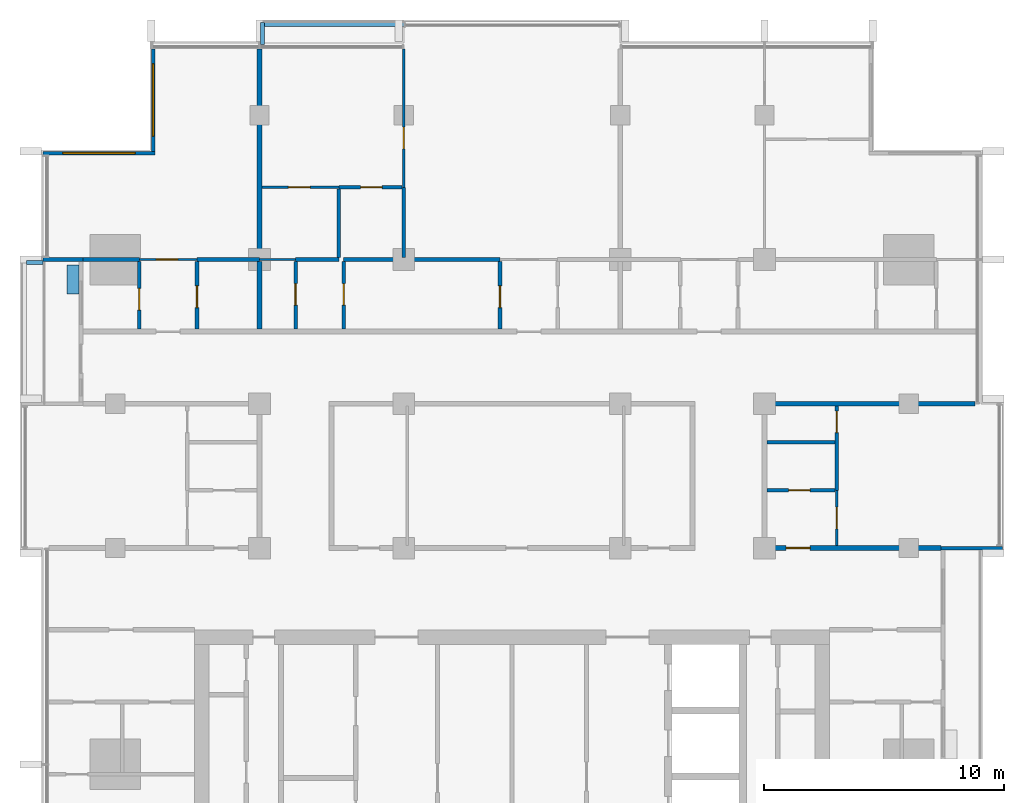
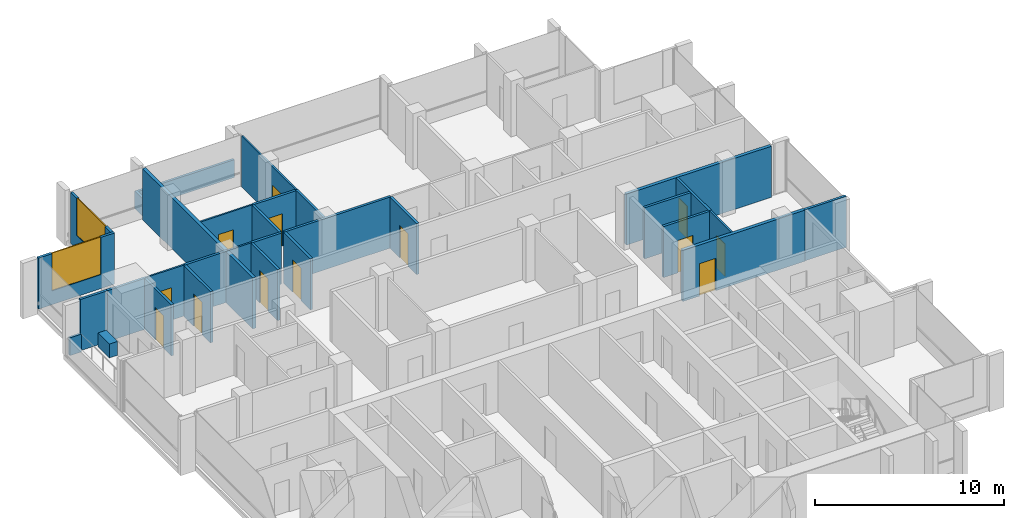
# One storey, part 10 of 16: 32 walls, 13 doors, 2 windows, 15 openings.
"""IFC4 building model written with IfcOpenShell, lengths in metres."""

from ifc_helpers import new_model, si_unit, direction, frame, frame_2d, origin, place, context, subcontext, project, spatial, rectangle, extrude, material, layer, layer_set, type_object, element, fill, save


model = new_model("IFC4")

# Units and contexts
model_context = context("Model", 3, precision=1e-05, world=origin(), true_north=direction((0.0, 1.0)))
body_context = subcontext(model_context, "Body", "Model", "MODEL_VIEW")
ifc_project = project(units=[si_unit("LENGTHUNIT", "METRE"), si_unit("AREAUNIT", "SQUARE_METRE"), si_unit("VOLUMEUNIT", "CUBIC_METRE"), si_unit("PLANEANGLEUNIT", "RADIAN"), si_unit("MASSUNIT", "GRAM", prefix="KILO")], contexts=[model_context])

# Site, building, storey
site_placement = place(None, origin())
site = spatial("IfcSite", under=ifc_project, at=site_placement, CompositionType="ELEMENT")
building_placement = place(site_placement, origin())
building = spatial("IfcBuilding", under=site, at=building_placement, Name="Finial Court Residences", CompositionType="ELEMENT")
storey_placement = place(building_placement, frame((0.0, 0.0, 223.10009765625)))
storey = spatial("IfcBuildingStorey", under=building, at=storey_placement, Name="L56", CompositionType="ELEMENT", Elevation=223.10009765625)

# Walls
ifc_material_1 = material(Name="Gypsum board")
ifc_layer_1 = layer(ifc_material_1, 0.02490234375)
ifc_material_2 = material(Name="Acoustic mineral wool in double frame")
ifc_layer_2 = layer(ifc_material_2, 0.14990234375)
ifc_layer_3 = layer(ifc_material_1, 0.02490234375)
ifc_layer_set_1 = layer_set([ifc_layer_1, ifc_layer_2, ifc_layer_3], Name="Acoustic party wall 200, 1 hour")
wall_type_1 = type_object("IfcWallType", Name="Acoustic party wall 200, 1 hour", PredefinedType="PARTITIONING", material=ifc_layer_set_1)
wall_1_placement = place(storey_placement, frame((-10.5, 4.60009765625, 0.0), z_axis=(0.0, 0.0, 1.0), x_axis=(0.0, 1.0, 0.0)))
element("IfcWall", 1, at=wall_1_placement, inside=storey, type_object=wall_type_1, Name="Partition L56-037", PredefinedType="PARTITIONING", context=body_context, shape_type="SweptSolid", body=[
    extrude(rectangle(XDim=2.824951171875, YDim=0.199951171875, at=frame_2d((1.41259765625, 0.0))), origin(), (0.0, 0.0, 1.0), 3.2998046875),
])
wall_2_placement = place(storey_placement, frame((-10.5, 7.574951171875, 0.0), z_axis=(0.0, 0.0, 1.0), x_axis=(0.0, 1.0, 0.0)))
element("IfcWall", 2, at=wall_2_placement, inside=storey, type_object=wall_type_1, Name="Partition L56-038", PredefinedType="PARTITIONING", context=body_context, shape_type="SweptSolid", body=[
    extrude(rectangle(XDim=8.6875, YDim=0.199951171875, at=frame_2d((4.34375, 0.0))), origin(), (0.0, 0.0, 1.0), 3.2998046875),
])

# Wall, opening, door
ifc_layer_4 = layer(ifc_material_1, 0.02490234375)
ifc_layer_5 = layer(ifc_material_2, 0.14990234375)
ifc_layer_6 = layer(ifc_material_1, 0.02490234375)
ifc_layer_set_2 = layer_set([ifc_layer_4, ifc_layer_5, ifc_layer_6], Name="Corridor wall 200, 1 hour")
wall_type_2 = type_object("IfcWallType", Name="Corridor wall 200, 1 hour", PredefinedType="PARTITIONING", material=ifc_layer_set_2)
wall_3_placement = place(storey_placement, frame((10.39990234375, -4.5, 0.0), z_axis=(0.0, 0.0, 1.0), x_axis=(1.0, 0.0, 0.0)))
wall_3 = element("IfcWall", 3, at=wall_3_placement, inside=storey, type_object=wall_type_2, Name="Partition L56-008", PredefinedType="PARTITIONING", context=body_context, shape_type="SweptSolid", body=[
    extrude(rectangle(XDim=7.4501953125, YDim=0.199951171875, at=frame_2d((3.72509765625, 0.0))), origin(), (0.0, 0.0, 1.0), 3.2998046875),
])
opening_1_placement = place(wall_3_placement, frame((1.0, 0.0, 0.0)))
opening_1 = element("IfcOpeningElement", 4, at=opening_1_placement, cuts=wall_3, Name="Opening L56-D013", PredefinedType="OPENING", context=body_context, shape_type="SweptSolid", body=[
    extrude(rectangle(XDim=1.0, YDim=2.10009765625, at=frame_2d((0.5, 1.050048828125))), frame((0.0, 0.10986328125, 0.0), z_axis=(0.0, -1.0, 0.0), x_axis=(1.0, 0.0, 0.0)), (0.0, 0.0, 1.0), 0.219970703125),
])
ifc_material_3 = material(Name="Timber door leaf in hollow metal frame", Category="wood")
door_type_1 = type_object("IfcDoorType", Name="Fire door set 1000 x 2100, 30 minutes", OperationType="SINGLE_SWING_LEFT", PredefinedType="DOOR", material=ifc_material_3)
door_1_placement = place(opening_1_placement, origin())
door_1 = element("IfcDoor", 5, at=door_1_placement, inside=storey, type_object=door_type_1, Name="Door L56-D013", OperationType="SINGLE_SWING_RIGHT", OverallHeight=2.10009765625, OverallWidth=1.0, PredefinedType="DOOR", context=body_context, shape_type="SweptSolid", body=[
    extrude(rectangle(XDim=1.0, YDim=2.10009765625, at=frame_2d((0.5, 1.050048828125))), frame((0.0, 0.02490234375, 0.0), z_axis=(0.0, -1.0, 0.0), x_axis=(1.0, 0.0, 0.0)), (0.0, 0.0, 1.0), 0.050048828125),
])
fill(opening_1, door_1)

# Wall
wall_4_placement = place(storey_placement, frame((10.39990234375, 1.5, 0.0), z_axis=(0.0, 0.0, 1.0), x_axis=(1.0, 0.0, 0.0)))
element("IfcWall", 6, at=wall_4_placement, inside=storey, type_object=wall_type_2, Name="Partition L56-015", PredefinedType="PARTITIONING", context=body_context, shape_type="SweptSolid", body=[
    extrude(rectangle(XDim=8.862548828125, YDim=0.199951171875, at=frame_2d((4.43115234375, 0.0))), origin(), (0.0, 0.0, 1.0), 3.2998046875),
])

# Wall, opening, door
ifc_layer_7 = layer(ifc_material_1, 0.012451171875)
ifc_material_4 = material(Name="Mineral wool in light-gauge frame")
ifc_layer_8 = layer(ifc_material_4, 0.074951171875)
ifc_layer_9 = layer(ifc_material_1, 0.012451171875)
ifc_layer_set_3 = layer_set([ifc_layer_7, ifc_layer_8, ifc_layer_9], Name="Gypsum board partition 100")
wall_type_3 = type_object("IfcWallType", Name="Gypsum board partition 100", PredefinedType="PARTITIONING", material=ifc_layer_set_3)
wall_5_placement = place(storey_placement, frame((-15.5, 7.5, 0.0), z_axis=(0.0, 0.0, 1.0), x_axis=(1.0, 0.0, 0.0)))
wall_5 = element("IfcWall", 7, at=wall_5_placement, inside=storey, type_object=wall_type_3, Name="Partition L56-017", PredefinedType="PARTITIONING", context=body_context, shape_type="SweptSolid", body=[
    extrude(rectangle(XDim=2.39990234375, YDim=0.10009765625, at=frame_2d((1.199951171875, 0.0))), origin(), (0.0, 0.0, 1.0), 3.2998046875),
])
opening_2_placement = place(wall_5_placement, frame((0.699951171875, 0.0, 0.0)))
opening_2 = element("IfcOpeningElement", 8, at=opening_2_placement, cuts=wall_5, Name="Opening L56-D019", PredefinedType="OPENING", context=body_context, shape_type="SweptSolid", body=[
    extrude(rectangle(XDim=0.89990234375, YDim=2.10009765625, at=frame_2d((0.449951171875, 1.050048828125))), frame((0.0, 0.06005859375, 0.0), z_axis=(0.0, -1.0, 0.0), x_axis=(1.0, 0.0, 0.0)), (0.0, 0.0, 1.0), 0.1201171875),
])
ifc_material_5 = material(Name="Timber door leaf in timber frame", Category="wood")
door_type_2 = type_object("IfcDoorType", Name="Door set 900 x 2100", OperationType="SINGLE_SWING_LEFT", PredefinedType="DOOR", material=ifc_material_5)
door_2_placement = place(opening_2_placement, origin())
door_2 = element("IfcDoor", 9, at=door_2_placement, inside=storey, type_object=door_type_2, Name="Door L56-D019", OperationType="SINGLE_SWING_RIGHT", OverallHeight=2.10009765625, OverallWidth=0.89990234375, PredefinedType="DOOR", context=body_context, shape_type="SweptSolid", body=[
    extrude(rectangle(XDim=0.89990234375, YDim=2.10009765625, at=frame_2d((0.449951171875, 1.050048828125))), frame((0.0, 0.02490234375, 0.0), z_axis=(0.0, -1.0, 0.0), x_axis=(1.0, 0.0, 0.0)), (0.0, 0.0, 1.0), 0.050048828125),
])
fill(opening_2, door_2)

# Wall
wall_6_placement = place(storey_placement, frame((-10.5, 7.5, 0.0), z_axis=(0.0, 0.0, 1.0), x_axis=(1.0, 0.0, 0.0)))
element("IfcWall", 10, at=wall_6_placement, inside=storey, type_object=wall_type_3, Name="Partition L56-018", PredefinedType="PARTITIONING", context=body_context, shape_type="SweptSolid", body=[
    extrude(rectangle(XDim=1.5, YDim=0.10009765625, at=frame_2d((0.75, 0.0))), origin(), (0.0, 0.0, 1.0), 3.2998046875),
])

# Wall, opening, door
wall_7_placement = place(storey_placement, frame((-10.39990234375, 10.5, 0.0), z_axis=(0.0, 0.0, 1.0), x_axis=(1.0, 0.0, 0.0)))
wall_7 = element("IfcWall", 11, at=wall_7_placement, inside=storey, type_object=wall_type_3, Name="Partition L56-028", PredefinedType="PARTITIONING", context=body_context, shape_type="SweptSolid", body=[
    extrude(rectangle(XDim=3.199951171875, YDim=0.10009765625, at=frame_2d((1.60009765625, 0.0))), origin(), (0.0, 0.0, 1.0), 3.2998046875),
])
opening_3_placement = place(wall_7_placement, frame((1.10009765625, 0.0, 0.0)))
opening_3 = element("IfcOpeningElement", 12, at=opening_3_placement, cuts=wall_7, Name="Opening L56-D022", PredefinedType="OPENING", context=body_context, shape_type="SweptSolid", body=[
    extrude(rectangle(XDim=0.89990234375, YDim=2.10009765625, at=frame_2d((0.449951171875, 1.050048828125))), frame((0.0, 0.06005859375, 0.0), z_axis=(0.0, -1.0, 0.0), x_axis=(1.0, 0.0, 0.0)), (0.0, 0.0, 1.0), 0.1201171875),
])
door_3_placement = place(opening_3_placement, origin())
door_3 = element("IfcDoor", 13, at=door_3_placement, inside=storey, type_object=door_type_2, Name="Door L56-D022", OperationType="SINGLE_SWING_LEFT", OverallHeight=2.10009765625, OverallWidth=0.89990234375, PredefinedType="DOOR", context=body_context, shape_type="SweptSolid", body=[
    extrude(rectangle(XDim=0.89990234375, YDim=2.10009765625, at=frame_2d((0.449951171875, 1.050048828125))), frame((0.0, 0.02490234375, 0.0), z_axis=(0.0, -1.0, 0.0), x_axis=(1.0, 0.0, 0.0)), (0.0, 0.0, 1.0), 0.050048828125),
])
fill(opening_3, door_3)

wall_8_placement = place(storey_placement, frame((-4.5, 10.5, 0.0), z_axis=(0.0, 0.0, 1.0), x_axis=(0.0, 1.0, 0.0)))
wall_8 = element("IfcWall", 14, at=wall_8_placement, inside=storey, type_object=wall_type_3, Name="Partition L56-043", PredefinedType="PARTITIONING", context=body_context, shape_type="SweptSolid", body=[
    extrude(rectangle(XDim=5.762451171875, YDim=0.10009765625, at=frame_2d((2.88134765625, 0.0))), origin(), (0.0, 0.0, 1.0), 3.2998046875),
])
opening_4_placement = place(wall_8_placement, frame((1.60009765625, 0.0, 0.0)))
opening_4 = element("IfcOpeningElement", 15, at=opening_4_placement, cuts=wall_8, Name="Opening L56-D031", PredefinedType="OPENING", context=body_context, shape_type="SweptSolid", body=[
    extrude(rectangle(XDim=0.89990234375, YDim=2.10009765625, at=frame_2d((0.449951171875, 1.050048828125))), frame((0.0, 0.06005859375, 0.0), z_axis=(0.0, -1.0, 0.0), x_axis=(1.0, 0.0, 0.0)), (0.0, 0.0, 1.0), 0.1201171875),
])
door_4_placement = place(opening_4_placement, origin())
door_4 = element("IfcDoor", 16, at=door_4_placement, inside=storey, type_object=door_type_2, Name="Door L56-D031", OperationType="SINGLE_SWING_RIGHT", OverallHeight=2.10009765625, OverallWidth=0.89990234375, PredefinedType="DOOR", context=body_context, shape_type="SweptSolid", body=[
    extrude(rectangle(XDim=0.89990234375, YDim=2.10009765625, at=frame_2d((0.449951171875, 1.050048828125))), frame((0.0, 0.02490234375, 0.0), z_axis=(0.0, -1.0, 0.0), x_axis=(1.0, 0.0, 0.0)), (0.0, 0.0, 1.0), 0.050048828125),
])
fill(opening_4, door_4)

wall_9_placement = place(storey_placement, frame((13.5, -4.39990234375, 0.0), z_axis=(0.0, 0.0, 1.0), x_axis=(0.0, 1.0, 0.0)))
wall_9 = element("IfcWall", 17, at=wall_9_placement, inside=storey, type_object=wall_type_3, Name="Partition L56-056", PredefinedType="PARTITIONING", context=body_context, shape_type="SweptSolid", body=[
    extrude(rectangle(XDim=2.2998046875, YDim=0.10009765625, at=frame_2d((1.14990234375, 0.0))), origin(), (0.0, 0.0, 1.0), 3.2998046875),
])
opening_5_placement = place(wall_9_placement, frame((0.699951171875, 0.0, 0.0)))
opening_5 = element("IfcOpeningElement", 18, at=opening_5_placement, cuts=wall_9, Name="Opening L56-D037", PredefinedType="OPENING", context=body_context, shape_type="SweptSolid", body=[
    extrude(rectangle(XDim=0.89990234375, YDim=2.10009765625, at=frame_2d((0.449951171875, 1.050048828125))), frame((0.0, 0.06005859375, 0.0), z_axis=(0.0, -1.0, 0.0), x_axis=(1.0, 0.0, 0.0)), (0.0, 0.0, 1.0), 0.1201171875),
])
door_5_placement = place(opening_5_placement, origin())
door_5 = element("IfcDoor", 19, at=door_5_placement, inside=storey, type_object=door_type_2, Name="Door L56-D037", OperationType="SINGLE_SWING_LEFT", OverallHeight=2.10009765625, OverallWidth=0.89990234375, PredefinedType="DOOR", context=body_context, shape_type="SweptSolid", body=[
    extrude(rectangle(XDim=0.89990234375, YDim=2.10009765625, at=frame_2d((0.449951171875, 1.050048828125))), frame((0.0, 0.02490234375, 0.0), z_axis=(0.0, -1.0, 0.0), x_axis=(1.0, 0.0, 0.0)), (0.0, 0.0, 1.0), 0.050048828125),
])
fill(opening_5, door_5)

ifc_material_6 = material(Name="Moisture-resistant gypsum board")
ifc_layer_10 = layer(ifc_material_6, 0.012451171875)
ifc_layer_11 = layer(ifc_material_4, 0.125)
ifc_layer_12 = layer(ifc_material_6, 0.012451171875)
ifc_layer_set_4 = layer_set([ifc_layer_10, ifc_layer_11, ifc_layer_12], Name="Gypsum board wet-area partition 150")
wall_type_4 = type_object("IfcWallType", Name="Gypsum board wet-area partition 150", PredefinedType="PARTITIONING", material=ifc_layer_set_4)
wall_10_placement = place(storey_placement, frame((10.60009765625, -2.10009765625, 0.0), z_axis=(0.0, 0.0, 1.0), x_axis=(1.0, 0.0, 0.0)))
wall_10 = element("IfcWall", 20, at=wall_10_placement, inside=storey, type_object=wall_type_4, Name="Partition L56-010", PredefinedType="PARTITIONING", context=body_context, shape_type="SweptSolid", body=[
    extrude(rectangle(XDim=2.824951171875, YDim=0.14990234375, at=frame_2d((1.41259765625, 0.0))), origin(), (0.0, 0.0, 1.0), 3.2998046875),
])
opening_6_placement = place(wall_10_placement, frame((0.89990234375, 0.0, 0.0)))
opening_6 = element("IfcOpeningElement", 21, at=opening_6_placement, cuts=wall_10, Name="Opening L56-D015", PredefinedType="OPENING", context=body_context, shape_type="SweptSolid", body=[
    extrude(rectangle(XDim=0.89990234375, YDim=2.10009765625, at=frame_2d((0.449951171875, 1.050048828125))), frame((0.0, 0.0849609375, 0.0), z_axis=(0.0, -1.0, 0.0), x_axis=(1.0, 0.0, 0.0)), (0.0, 0.0, 1.0), 0.169921875),
])
door_6_placement = place(opening_6_placement, origin())
door_6 = element("IfcDoor", 22, at=door_6_placement, inside=storey, type_object=door_type_2, Name="Door L56-D015", OperationType="SINGLE_SWING_RIGHT", OverallHeight=2.10009765625, OverallWidth=0.89990234375, PredefinedType="DOOR", context=body_context, shape_type="SweptSolid", body=[
    extrude(rectangle(XDim=0.89990234375, YDim=2.10009765625, at=frame_2d((0.449951171875, 1.050048828125))), frame((0.0, 0.02490234375, 0.0), z_axis=(0.0, -1.0, 0.0), x_axis=(1.0, 0.0, 0.0)), (0.0, 0.0, 1.0), 0.050048828125),
])
fill(opening_6, door_6)

# Walls
wall_11_placement = place(storey_placement, frame((10.60009765625, -0.10009765625, 0.0), z_axis=(0.0, 0.0, 1.0), x_axis=(1.0, 0.0, 0.0)))
element("IfcWall", 23, at=wall_11_placement, inside=storey, type_object=wall_type_4, Name="Partition L56-012", PredefinedType="PARTITIONING", context=body_context, shape_type="SweptSolid", body=[
    extrude(rectangle(XDim=2.824951171875, YDim=0.14990234375, at=frame_2d((1.41259765625, 0.0))), origin(), (0.0, 0.0, 1.0), 3.2998046875),
])
wall_12_placement = place(storey_placement, frame((-17.85009765625, 7.5, 0.0), z_axis=(0.0, 0.0, 1.0), x_axis=(1.0, 0.0, 0.0)))
element("IfcWall", 24, at=wall_12_placement, inside=storey, type_object=wall_type_4, Name="Partition L56-022", PredefinedType="PARTITIONING", context=body_context, shape_type="SweptSolid", body=[
    extrude(rectangle(XDim=2.35009765625, YDim=0.14990234375, at=frame_2d((1.175048828125, 0.0))), origin(), (0.0, 0.0, 1.0), 3.2998046875),
])
wall_13_placement = place(storey_placement, frame((-13.10009765625, 7.5, 0.0), z_axis=(0.0, 0.0, 1.0), x_axis=(1.0, 0.0, 0.0)))
element("IfcWall", 25, at=wall_13_placement, inside=storey, type_object=wall_type_4, Name="Partition L56-023", PredefinedType="PARTITIONING", context=body_context, shape_type="SweptSolid", body=[
    extrude(rectangle(XDim=2.60009765625, YDim=0.14990234375, at=frame_2d((1.300048828125, 0.0))), origin(), (0.0, 0.0, 1.0), 3.2998046875),
])
wall_14_placement = place(storey_placement, frame((-9.0, 7.5, 0.0), z_axis=(0.0, 0.0, 1.0), x_axis=(1.0, 0.0, 0.0)))
element("IfcWall", 26, at=wall_14_placement, inside=storey, type_object=wall_type_4, Name="Partition L56-024", PredefinedType="PARTITIONING", context=body_context, shape_type="SweptSolid", body=[
    extrude(rectangle(XDim=1.800048828125, YDim=0.14990234375, at=frame_2d((0.89990234375, 0.0))), origin(), (0.0, 0.0, 1.0), 3.2998046875),
])
wall_15_placement = place(storey_placement, frame((-7.0, 7.5, 0.0), z_axis=(0.0, 0.0, 1.0), x_axis=(1.0, 0.0, 0.0)))
element("IfcWall", 27, at=wall_15_placement, inside=storey, type_object=wall_type_4, Name="Partition L56-025", PredefinedType="PARTITIONING", context=body_context, shape_type="SweptSolid", body=[
    extrude(rectangle(XDim=6.5, YDim=0.14990234375, at=frame_2d((3.25, 0.0))), origin(), (0.0, 0.0, 1.0), 3.2998046875),
])

# Wall, opening, door
wall_16_placement = place(storey_placement, frame((-7.199951171875, 10.5, 0.0), z_axis=(0.0, 0.0, 1.0), x_axis=(1.0, 0.0, 0.0)))
wall_16 = element("IfcWall", 28, at=wall_16_placement, inside=storey, type_object=wall_type_4, Name="Partition L56-029", PredefinedType="PARTITIONING", context=body_context, shape_type="SweptSolid", body=[
    extrude(rectangle(XDim=2.625, YDim=0.14990234375, at=frame_2d((1.3125, 0.0))), origin(), (0.0, 0.0, 1.0), 3.2998046875),
])
opening_7_placement = place(wall_16_placement, frame((0.89990234375, 0.0, 0.0)))
opening_7 = element("IfcOpeningElement", 29, at=opening_7_placement, cuts=wall_16, Name="Opening L56-D023", PredefinedType="OPENING", context=body_context, shape_type="SweptSolid", body=[
    extrude(rectangle(XDim=0.89990234375, YDim=2.10009765625, at=frame_2d((0.449951171875, 1.050048828125))), frame((0.0, 0.0849609375, 0.0), z_axis=(0.0, -1.0, 0.0), x_axis=(1.0, 0.0, 0.0)), (0.0, 0.0, 1.0), 0.169921875),
])
door_7_placement = place(opening_7_placement, origin())
door_7 = element("IfcDoor", 30, at=door_7_placement, inside=storey, type_object=door_type_2, Name="Door L56-D023", OperationType="SINGLE_SWING_RIGHT", OverallHeight=2.10009765625, OverallWidth=0.89990234375, PredefinedType="DOOR", context=body_context, shape_type="SweptSolid", body=[
    extrude(rectangle(XDim=0.89990234375, YDim=2.10009765625, at=frame_2d((0.449951171875, 1.050048828125))), frame((0.0, 0.02490234375, 0.0), z_axis=(0.0, -1.0, 0.0), x_axis=(1.0, 0.0, 0.0)), (0.0, 0.0, 1.0), 0.050048828125),
])
fill(opening_7, door_7)

wall_17_placement = place(storey_placement, frame((-15.5, 4.60009765625, 0.0), z_axis=(0.0, 0.0, 1.0), x_axis=(0.0, 1.0, 0.0)))
wall_17 = element("IfcWall", 31, at=wall_17_placement, inside=storey, type_object=wall_type_4, Name="Partition L56-032", PredefinedType="PARTITIONING", context=body_context, shape_type="SweptSolid", body=[
    extrude(rectangle(XDim=2.824951171875, YDim=0.14990234375, at=frame_2d((1.41259765625, 0.0))), origin(), (0.0, 0.0, 1.0), 3.2998046875),
])
opening_8_placement = place(wall_17_placement, frame((0.800048828125, 0.0, 0.0)))
opening_8 = element("IfcOpeningElement", 32, at=opening_8_placement, cuts=wall_17, Name="Opening L56-D025", PredefinedType="OPENING", context=body_context, shape_type="SweptSolid", body=[
    extrude(rectangle(XDim=0.89990234375, YDim=2.10009765625, at=frame_2d((0.449951171875, 1.050048828125))), frame((0.0, 0.0849609375, 0.0), z_axis=(0.0, -1.0, 0.0), x_axis=(1.0, 0.0, 0.0)), (0.0, 0.0, 1.0), 0.169921875),
])
door_8_placement = place(opening_8_placement, origin())
door_8 = element("IfcDoor", 33, at=door_8_placement, inside=storey, type_object=door_type_2, Name="Door L56-D025", OperationType="SINGLE_SWING_RIGHT", OverallHeight=2.10009765625, OverallWidth=0.89990234375, PredefinedType="DOOR", context=body_context, shape_type="SweptSolid", body=[
    extrude(rectangle(XDim=0.89990234375, YDim=2.10009765625, at=frame_2d((0.449951171875, 1.050048828125))), frame((0.0, 0.02490234375, 0.0), z_axis=(0.0, -1.0, 0.0), x_axis=(1.0, 0.0, 0.0)), (0.0, 0.0, 1.0), 0.050048828125),
])
fill(opening_8, door_8)

wall_18_placement = place(storey_placement, frame((-13.10009765625, 4.60009765625, 0.0), z_axis=(0.0, 0.0, 1.0), x_axis=(0.0, 1.0, 0.0)))
wall_18 = element("IfcWall", 34, at=wall_18_placement, inside=storey, type_object=wall_type_4, Name="Partition L56-035", PredefinedType="PARTITIONING", context=body_context, shape_type="SweptSolid", body=[
    extrude(rectangle(XDim=2.824951171875, YDim=0.14990234375, at=frame_2d((1.41259765625, 0.0))), origin(), (0.0, 0.0, 1.0), 3.2998046875),
])
opening_9_placement = place(wall_18_placement, frame((0.89990234375, 0.0, 0.0)))
opening_9 = element("IfcOpeningElement", 35, at=opening_9_placement, cuts=wall_18, Name="Opening L56-D028", PredefinedType="OPENING", context=body_context, shape_type="SweptSolid", body=[
    extrude(rectangle(XDim=0.89990234375, YDim=2.10009765625, at=frame_2d((0.449951171875, 1.050048828125))), frame((0.0, 0.0849609375, 0.0), z_axis=(0.0, -1.0, 0.0), x_axis=(1.0, 0.0, 0.0)), (0.0, 0.0, 1.0), 0.169921875),
])
door_9_placement = place(opening_9_placement, origin())
door_9 = element("IfcDoor", 36, at=door_9_placement, inside=storey, type_object=door_type_2, Name="Door L56-D028", OperationType="SINGLE_SWING_LEFT", OverallHeight=2.10009765625, OverallWidth=0.89990234375, PredefinedType="DOOR", context=body_context, shape_type="SweptSolid", body=[
    extrude(rectangle(XDim=0.89990234375, YDim=2.10009765625, at=frame_2d((0.449951171875, 1.050048828125))), frame((0.0, 0.02490234375, 0.0), z_axis=(0.0, -1.0, 0.0), x_axis=(1.0, 0.0, 0.0)), (0.0, 0.0, 1.0), 0.050048828125),
])
fill(opening_9, door_9)

wall_19_placement = place(storey_placement, frame((-9.0, 4.60009765625, 0.0), z_axis=(0.0, 0.0, 1.0), x_axis=(0.0, 1.0, 0.0)))
wall_19 = element("IfcWall", 37, at=wall_19_placement, inside=storey, type_object=wall_type_4, Name="Partition L56-039", PredefinedType="PARTITIONING", context=body_context, shape_type="SweptSolid", body=[
    extrude(rectangle(XDim=2.824951171875, YDim=0.14990234375, at=frame_2d((1.41259765625, 0.0))), origin(), (0.0, 0.0, 1.0), 3.2998046875),
])
opening_10_placement = place(wall_19_placement, frame((1.0, 0.0, 0.0)))
opening_10 = element("IfcOpeningElement", 38, at=opening_10_placement, cuts=wall_19, Name="Opening L56-D029", PredefinedType="OPENING", context=body_context, shape_type="SweptSolid", body=[
    extrude(rectangle(XDim=0.89990234375, YDim=2.10009765625, at=frame_2d((0.449951171875, 1.050048828125))), frame((0.0, 0.0849609375, 0.0), z_axis=(0.0, -1.0, 0.0), x_axis=(1.0, 0.0, 0.0)), (0.0, 0.0, 1.0), 0.169921875),
])
door_10_placement = place(opening_10_placement, origin())
door_10 = element("IfcDoor", 39, at=door_10_placement, inside=storey, type_object=door_type_2, Name="Door L56-D029", OperationType="SINGLE_SWING_RIGHT", OverallHeight=2.10009765625, OverallWidth=0.89990234375, PredefinedType="DOOR", context=body_context, shape_type="SweptSolid", body=[
    extrude(rectangle(XDim=0.89990234375, YDim=2.10009765625, at=frame_2d((0.449951171875, 1.050048828125))), frame((0.0, 0.02490234375, 0.0), z_axis=(0.0, -1.0, 0.0), x_axis=(1.0, 0.0, 0.0)), (0.0, 0.0, 1.0), 0.050048828125),
])
fill(opening_10, door_10)

# Wall
wall_20_placement = place(storey_placement, frame((-7.199951171875, 7.574951171875, 0.0), z_axis=(0.0, 0.0, 1.0), x_axis=(0.0, 1.0, 0.0)))
element("IfcWall", 40, at=wall_20_placement, inside=storey, type_object=wall_type_4, Name="Partition L56-041", PredefinedType="PARTITIONING", context=body_context, shape_type="SweptSolid", body=[
    extrude(rectangle(XDim=2.85009765625, YDim=0.14990234375, at=frame_2d((1.425048828125, 0.0))), origin(), (0.0, 0.0, 1.0), 3.2998046875),
])

# Wall, opening, door
wall_21_placement = place(storey_placement, frame((-7.0, 4.60009765625, 0.0), z_axis=(0.0, 0.0, 1.0), x_axis=(0.0, 1.0, 0.0)))
wall_21 = element("IfcWall", 41, at=wall_21_placement, inside=storey, type_object=wall_type_4, Name="Partition L56-042", PredefinedType="PARTITIONING", context=body_context, shape_type="SweptSolid", body=[
    extrude(rectangle(XDim=2.824951171875, YDim=0.14990234375, at=frame_2d((1.41259765625, 0.0))), origin(), (0.0, 0.0, 1.0), 3.2998046875),
])
opening_11_placement = place(wall_21_placement, frame((1.0, 0.0, 0.0)))
opening_11 = element("IfcOpeningElement", 42, at=opening_11_placement, cuts=wall_21, Name="Opening L56-D030", PredefinedType="OPENING", context=body_context, shape_type="SweptSolid", body=[
    extrude(rectangle(XDim=0.89990234375, YDim=2.10009765625, at=frame_2d((0.449951171875, 1.050048828125))), frame((0.0, 0.0849609375, 0.0), z_axis=(0.0, -1.0, 0.0), x_axis=(1.0, 0.0, 0.0)), (0.0, 0.0, 1.0), 0.169921875),
])
door_11_placement = place(opening_11_placement, origin())
door_11 = element("IfcDoor", 43, at=door_11_placement, inside=storey, type_object=door_type_2, Name="Door L56-D030", OperationType="SINGLE_SWING_RIGHT", OverallHeight=2.10009765625, OverallWidth=0.89990234375, PredefinedType="DOOR", context=body_context, shape_type="SweptSolid", body=[
    extrude(rectangle(XDim=0.89990234375, YDim=2.10009765625, at=frame_2d((0.449951171875, 1.050048828125))), frame((0.0, 0.02490234375, 0.0), z_axis=(0.0, -1.0, 0.0), x_axis=(1.0, 0.0, 0.0)), (0.0, 0.0, 1.0), 0.050048828125),
])
fill(opening_11, door_11)

# Wall
wall_22_placement = place(storey_placement, frame((-4.5, 7.574951171875, 0.0), z_axis=(0.0, 0.0, 1.0), x_axis=(0.0, 1.0, 0.0)))
element("IfcWall", 44, at=wall_22_placement, inside=storey, type_object=wall_type_4, Name="Partition L56-044", PredefinedType="PARTITIONING", context=body_context, shape_type="SweptSolid", body=[
    extrude(rectangle(XDim=2.925048828125, YDim=0.14990234375, at=frame_2d((1.46240234375, 0.0))), origin(), (0.0, 0.0, 1.0), 3.2998046875),
])

# Wall, opening, door
wall_23_placement = place(storey_placement, frame((-0.5, 4.60009765625, 0.0), z_axis=(0.0, 0.0, 1.0), x_axis=(0.0, 1.0, 0.0)))
wall_23 = element("IfcWall", 45, at=wall_23_placement, inside=storey, type_object=wall_type_4, Name="Partition L56-046", PredefinedType="PARTITIONING", context=body_context, shape_type="SweptSolid", body=[
    extrude(rectangle(XDim=2.824951171875, YDim=0.14990234375, at=frame_2d((1.41259765625, 0.0))), origin(), (0.0, 0.0, 1.0), 3.2998046875),
])
opening_12_placement = place(wall_23_placement, frame((0.89990234375, 0.0, 0.0)))
opening_12 = element("IfcOpeningElement", 46, at=opening_12_placement, cuts=wall_23, Name="Opening L56-D032", PredefinedType="OPENING", context=body_context, shape_type="SweptSolid", body=[
    extrude(rectangle(XDim=0.89990234375, YDim=2.10009765625, at=frame_2d((0.449951171875, 1.050048828125))), frame((0.0, 0.0849609375, 0.0), z_axis=(0.0, -1.0, 0.0), x_axis=(1.0, 0.0, 0.0)), (0.0, 0.0, 1.0), 0.169921875),
])
door_12_placement = place(opening_12_placement, origin())
door_12 = element("IfcDoor", 47, at=door_12_placement, inside=storey, type_object=door_type_2, Name="Door L56-D032", OperationType="SINGLE_SWING_RIGHT", OverallHeight=2.10009765625, OverallWidth=0.89990234375, PredefinedType="DOOR", context=body_context, shape_type="SweptSolid", body=[
    extrude(rectangle(XDim=0.89990234375, YDim=2.10009765625, at=frame_2d((0.449951171875, 1.050048828125))), frame((0.0, 0.02490234375, 0.0), z_axis=(0.0, -1.0, 0.0), x_axis=(1.0, 0.0, 0.0)), (0.0, 0.0, 1.0), 0.050048828125),
])
fill(opening_12, door_12)

wall_24_placement = place(storey_placement, frame((13.5, -2.10009765625, 0.0), z_axis=(0.0, 0.0, 1.0), x_axis=(0.0, 1.0, 0.0)))
wall_24 = element("IfcWall", 48, at=wall_24_placement, inside=storey, type_object=wall_type_4, Name="Partition L56-057", PredefinedType="PARTITIONING", context=body_context, shape_type="SweptSolid", body=[
    extrude(rectangle(XDim=3.5, YDim=0.14990234375, at=frame_2d((1.75, 0.0))), origin(), (0.0, 0.0, 1.0), 3.2998046875),
])
opening_13_placement = place(wall_24_placement, frame((2.39990234375, 0.0, 0.0)))
opening_13 = element("IfcOpeningElement", 49, at=opening_13_placement, cuts=wall_24, Name="Opening L56-D038", PredefinedType="OPENING", context=body_context, shape_type="SweptSolid", body=[
    extrude(rectangle(XDim=0.89990234375, YDim=2.10009765625, at=frame_2d((0.449951171875, 1.050048828125))), frame((0.0, 0.0849609375, 0.0), z_axis=(0.0, -1.0, 0.0), x_axis=(1.0, 0.0, 0.0)), (0.0, 0.0, 1.0), 0.169921875),
])
door_13_placement = place(opening_13_placement, origin())
door_13 = element("IfcDoor", 50, at=door_13_placement, inside=storey, type_object=door_type_2, Name="Door L56-D038", OperationType="SINGLE_SWING_LEFT", OverallHeight=2.10009765625, OverallWidth=0.89990234375, PredefinedType="DOOR", context=body_context, shape_type="SweptSolid", body=[
    extrude(rectangle(XDim=0.89990234375, YDim=2.10009765625, at=frame_2d((0.449951171875, 1.050048828125))), frame((0.0, 0.02490234375, 0.0), z_axis=(0.0, -1.0, 0.0), x_axis=(1.0, 0.0, 0.0)), (0.0, 0.0, 1.0), 0.050048828125),
])
fill(opening_13, door_13)

# Walls
ifc_material_7 = material(Name="Concrete C35/45", Category="concrete")
ifc_layer_13 = layer(ifc_material_7, 0.14990234375)
ifc_layer_set_5 = layer_set([ifc_layer_13], Name="Ledge parapet, Concrete C35/45 150")
wall_type_5 = type_object("IfcWallType", Name="Ledge parapet, Concrete C35/45 150", PredefinedType="PARAPET", material=ifc_layer_set_5)
wall_25_placement = place(storey_placement, frame((-20.199951171875, 7.375, 0.0), z_axis=(0.0, 0.0, 1.0), x_axis=(1.0, 0.0, 0.0)))
element("IfcWall", 51, at=wall_25_placement, inside=storey, type_object=wall_type_5, Name="E-L56-LED1-P2", PredefinedType="PARAPET", context=body_context, shape_type="SweptSolid", body=[
    extrude(rectangle(XDim=0.68994140625, YDim=0.14990234375, at=frame_2d((0.344970703125, 0.0))), origin(), (0.0, 0.0, 1.0), 1.14990234375),
])
wall_26_placement = place(storey_placement, frame((-10.375, 16.447509765625, 0.0), z_axis=(0.0, 0.0, 1.0), x_axis=(0.0, 1.0, 0.0)))
element("IfcWall", 52, at=wall_26_placement, inside=storey, type_object=wall_type_5, Name="E-L56-LED2-P1", PredefinedType="PARAPET", context=body_context, shape_type="SweptSolid", body=[
    extrude(rectangle(XDim=0.902587890625, YDim=0.14990234375, at=frame_2d((0.451171875, 0.0))), origin(), (0.0, 0.0, 1.0), 1.14990234375),
])
wall_27_placement = place(storey_placement, frame((-10.300048828125, 17.27490234375, 0.0), z_axis=(0.0, 0.0, 1.0), x_axis=(1.0, 0.0, 0.0)))
element("IfcWall", 53, at=wall_27_placement, inside=storey, type_object=wall_type_5, Name="E-L56-LED2-P2", PredefinedType="PARAPET", context=body_context, shape_type="SweptSolid", body=[
    extrude(rectangle(XDim=5.8525390625, YDim=0.14990234375, at=frame_2d((2.92626953125, 0.0))), origin(), (0.0, 0.0, 1.0), 1.14990234375),
])

# Wall, opening, window
ifc_material_8 = material(Name="Natural limestone", Category="masonry")
ifc_layer_14 = layer(ifc_material_8, 0.14990234375)
ifc_layer_set_6 = layer_set([ifc_layer_14], Name="Limestone clad wall 150")
wall_type_6 = type_object("IfcWallType", Name="Limestone clad wall 150", PredefinedType="SOLIDWALL", material=ifc_layer_set_6)
wall_28_placement = place(storey_placement, frame((-14.925048828125, 12.0, 0.0), z_axis=(0.0, 0.0, 1.0), x_axis=(0.0, 1.0, 0.0)))
wall_28 = element("IfcWall", 54, at=wall_28_placement, inside=storey, type_object=wall_type_6, Name="E-L56-NWW16", PredefinedType="SOLIDWALL", context=body_context, shape_type="SweptSolid", body=[
    extrude(rectangle(XDim=4.262451171875, YDim=0.14990234375, at=frame_2d((2.13134765625, 0.0))), origin(), (0.0, 0.0, 1.0), 3.2998046875),
])
opening_14_placement = place(wall_28_placement, frame((0.631103515625, 0.0, 0.89990234375)))
opening_14 = element("IfcOpeningElement", 55, at=opening_14_placement, cuts=wall_28, Name="Opening WE56-05", PredefinedType="OPENING", context=body_context, shape_type="SweptSolid", body=[
    extrude(rectangle(XDim=3.0, YDim=2.39990234375, at=frame_2d((1.5, 1.199951171875))), frame((0.0, 0.0849609375, 0.0), z_axis=(0.0, -1.0, 0.0), x_axis=(1.0, 0.0, 0.0)), (0.0, 0.0, 1.0), 0.169921875),
])
ifc_material_9 = material(Name="Clear low-e glass", Category="glass")
window_type = type_object("IfcWindowType", Name="Corner window 3000 x 2400", PartitioningType="SINGLE_PANEL", PredefinedType="WINDOW", material=ifc_material_9)
window_1_placement = place(opening_14_placement, origin())
window_1 = element("IfcWindow", 56, at=window_1_placement, inside=storey, type_object=window_type, Name="E-L56-NWW16-W1", OverallHeight=2.39990234375, OverallWidth=3.0, PartitioningType="SINGLE_PANEL", PredefinedType="WINDOW", context=body_context, shape_type="SweptSolid", body=[
    extrude(rectangle(XDim=3.0, YDim=2.39990234375, at=frame_2d((1.5, 1.199951171875))), frame((0.0, 0.030029296875, 0.0), z_axis=(0.0, -1.0, 0.0), x_axis=(1.0, 0.0, 0.0)), (0.0, 0.0, 1.0), 0.06005859375),
])
fill(opening_14, window_1)

wall_29_placement = place(storey_placement, frame((-19.5, 11.925048828125, 0.0), z_axis=(0.0, 0.0, 1.0), x_axis=(1.0, 0.0, 0.0)))
wall_29 = element("IfcWall", 57, at=wall_29_placement, inside=storey, type_object=wall_type_6, Name="E-L56-NWN17", PredefinedType="SOLIDWALL", context=body_context, shape_type="SweptSolid", body=[
    extrude(rectangle(XDim=4.64990234375, YDim=0.14990234375, at=frame_2d((2.324951171875, 0.0))), origin(), (0.0, 0.0, 1.0), 3.2998046875),
])
opening_15_placement = place(wall_29_placement, frame((0.824951171875, 0.0, 0.89990234375)))
opening_15 = element("IfcOpeningElement", 58, at=opening_15_placement, cuts=wall_29, Name="Opening WE56-06", PredefinedType="OPENING", context=body_context, shape_type="SweptSolid", body=[
    extrude(rectangle(XDim=3.0, YDim=2.39990234375, at=frame_2d((1.5, 1.199951171875))), frame((0.0, 0.0849609375, 0.0), z_axis=(0.0, -1.0, 0.0), x_axis=(1.0, 0.0, 0.0)), (0.0, 0.0, 1.0), 0.169921875),
])
window_2_placement = place(opening_15_placement, origin())
window_2 = element("IfcWindow", 59, at=window_2_placement, inside=storey, type_object=window_type, Name="E-L56-NWN17-W1", OverallHeight=2.39990234375, OverallWidth=3.0, PartitioningType="SINGLE_PANEL", PredefinedType="WINDOW", context=body_context, shape_type="SweptSolid", body=[
    extrude(rectangle(XDim=3.0, YDim=2.39990234375, at=frame_2d((1.5, 1.199951171875))), frame((0.0, 0.030029296875, 0.0), z_axis=(0.0, -1.0, 0.0), x_axis=(1.0, 0.0, 0.0)), (0.0, 0.0, 1.0), 0.06005859375),
])
fill(opening_15, window_2)

# Walls
wall_30_placement = place(storey_placement, frame((17.85009765625, -4.5, 0.0), z_axis=(0.0, 0.0, 1.0), x_axis=(1.0, 0.0, 0.0)))
element("IfcWall", 60, at=wall_30_placement, inside=storey, type_object=wall_type_6, Name="E-L56-BALE2-P2", PredefinedType="SOLIDWALL", context=body_context, shape_type="SweptSolid", body=[
    extrude(rectangle(XDim=2.5498046875, YDim=0.14990234375, at=frame_2d((1.27490234375, 0.0))), origin(), (0.0, 0.0, 1.0), 3.2998046875),
])
wall_31_placement = place(storey_placement, frame((-17.85009765625, 7.5, 0.0), z_axis=(0.0, 0.0, 1.0), x_axis=(-1.0, 0.0, 0.0)))
element("IfcWall", 61, at=wall_31_placement, inside=storey, type_object=wall_type_6, Name="E-L56-BALW4-P2", PredefinedType="SOLIDWALL", context=body_context, shape_type="SweptSolid", body=[
    extrude(rectangle(XDim=1.64990234375, YDim=0.14990234375, at=frame_2d((0.824951171875, 0.0))), origin(), (0.0, 0.0, 1.0), 3.2998046875),
])
ifc_material_10 = material(Name="Concrete C40/50", Category="concrete")
ifc_layer_15 = layer(ifc_material_10, 0.10009765625)
ifc_material_11 = material(Name="Planting soil", Category="soil")
ifc_layer_16 = layer(ifc_material_11, 0.300048828125)
ifc_layer_17 = layer(ifc_material_10, 0.10009765625)
ifc_layer_set_7 = layer_set([ifc_layer_15, ifc_layer_16, ifc_layer_17], Name="Planter wall, balcony")
wall_type_7 = type_object("IfcWallType", Name="Planter wall, balcony", PredefinedType="USERDEFINED", material=ifc_layer_set_7)
wall_32_placement = place(storey_placement, frame((-18.25, 6.074951171875, 0.0), z_axis=(0.0, 0.0, 1.0), x_axis=(0.0, 1.0, 0.0)))
element("IfcWall", 62, at=wall_32_placement, inside=storey, type_object=wall_type_7, Name="E-L56-BALW4-PL", ObjectType="PLANTER", PredefinedType="USERDEFINED", context=body_context, shape_type="SweptSolid", body=[
    extrude(rectangle(XDim=1.199951171875, YDim=0.5, at=frame_2d((0.60009765625, 0.0))), origin(), (0.0, 0.0, 1.0), 0.89990234375),
])

save(model, "model.ifc")
